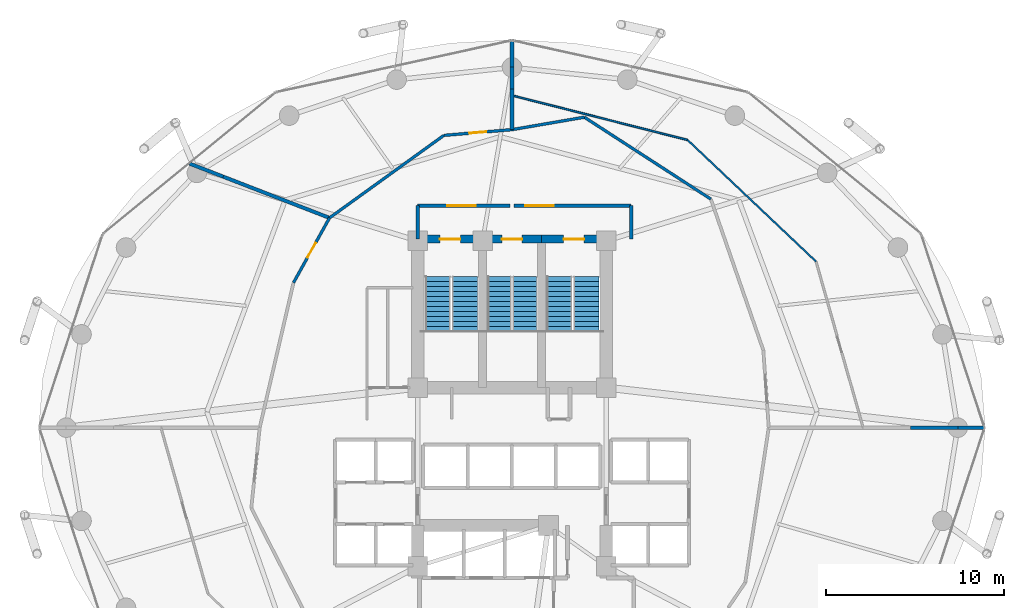
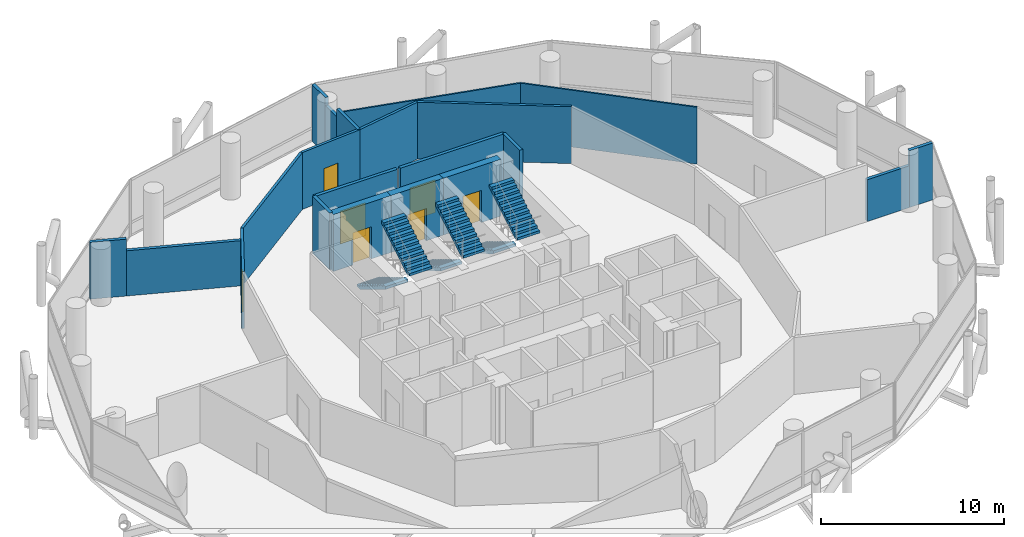
# One storey, part 23 of 24: 21 walls, 7 doors, 6 stair flights, 7 openings, 3 elements without a shape of their own.
"""IFC4 building model written with IfcOpenShell, lengths in metres."""

from ifc_helpers import new_model, si_unit, direction, frame, frame_2d, origin, place, context, subcontext, project, spatial, polyline, rectangle, outline, extrude, material, layer, layer_set, type_object, element, fill, aggregate, save


model = new_model("IFC4")

# Units and contexts
model_context = context("Model", 3, precision=1e-05, world=origin(), true_north=direction((0.0, 1.0)))
body_context = subcontext(model_context, "Body", "Model", "MODEL_VIEW")
ifc_project = project(units=[si_unit("LENGTHUNIT", "METRE"), si_unit("AREAUNIT", "SQUARE_METRE"), si_unit("VOLUMEUNIT", "CUBIC_METRE"), si_unit("PLANEANGLEUNIT", "RADIAN"), si_unit("MASSUNIT", "GRAM", prefix="KILO")], contexts=[model_context])

# Site, building, storey
site_placement = place(None, origin())
site = spatial("IfcSite", under=ifc_project, at=site_placement, CompositionType="ELEMENT")
building_placement = place(site_placement, origin())
building = spatial("IfcBuilding", under=site, at=building_placement, Name="Nuhasar Tower", CompositionType="ELEMENT")
storey_placement = place(building_placement, frame((0.0, 0.0, 77.699951171875)))
storey = spatial("IfcBuildingStorey", under=building, at=storey_placement, Name="L18", CompositionType="ELEMENT", Elevation=77.699951171875)

# Wall, opening, door
ifc_material_1 = material(Name="Concrete C50/60", Category="concrete")
ifc_layer_1 = layer(ifc_material_1, 0.449951171875)
ifc_layer_set_1 = layer_set([ifc_layer_1], Name="Concrete C50/60")
wall_type_1 = type_object("IfcWallType", Name="WL-CORE-450", PredefinedType="SHEAR", material=ifc_layer_set_1)
wall_1_placement = place(storey_placement, frame((37.35009765625, 37.39990234375, 0.0), z_axis=(0.0, 0.0, 1.0), x_axis=(-1.0, 0.0, 0.0)))
wall_1 = element("IfcWall", 1, at=wall_1_placement, inside=storey, type_object=wall_type_1, Name="L18 Stairwell Shear Wall ST01-N", PredefinedType="SHEAR", context=body_context, shape_type="SweptSolid", body=[
    extrude(rectangle(XDim=3.650146484375, YDim=0.449951171875, at=frame_2d((1.8251953125, 0.0))), origin(), (0.0, 0.0, 1.0), 3.800048828125),
])
opening_1_placement = place(wall_1_placement, frame((1.25, 0.0, 0.0)))
opening_1 = element("IfcOpeningElement", 2, at=opening_1_placement, cuts=wall_1, Name="Opening DS-01", PredefinedType="OPENING", context=body_context, shape_type="SweptSolid", body=[
    extrude(rectangle(XDim=1.14990234375, YDim=2.14990234375, at=frame_2d((0.574951171875, 1.074951171875))), frame((0.0, 0.23486328125, 0.0), z_axis=(0.0, -1.0, 0.0), x_axis=(1.0, 0.0, 0.0)), (0.0, 0.0, 1.0), 0.469970703125),
])
ifc_material_2 = material(Name="Steel S355", Category="steel")
door_type_1 = type_object("IfcDoorType", Name="DR-STAIR-FD120-1150", OperationType="NOTDEFINED", PredefinedType="DOOR", material=ifc_material_2)
door_1_placement = place(opening_1_placement, origin())
door_1 = element("IfcDoor", 3, at=door_1_placement, inside=storey, type_object=door_type_1, Name="L18 Exit Stair ST-01 Door", OperationType="SINGLE_SWING_RIGHT", OverallHeight=2.14990234375, OverallWidth=1.14990234375, PredefinedType="DOOR", context=body_context, shape_type="SweptSolid", body=[
    extrude(rectangle(XDim=1.14990234375, YDim=2.14990234375, at=frame_2d((0.574951171875, 1.074951171875))), frame((0.0, 0.02490234375, 0.0), z_axis=(0.0, -1.0, 0.0), x_axis=(1.0, 0.0, 0.0)), (0.0, 0.0, 1.0), 0.050048828125),
])
fill(opening_1, door_1)

wall_2_placement = place(storey_placement, frame((40.64990234375, 37.39990234375, 0.0), z_axis=(0.0, 0.0, 1.0), x_axis=(-1.0, 0.0, 0.0)))
wall_2 = element("IfcWall", 4, at=wall_2_placement, inside=storey, type_object=wall_type_1, Name="L18 Stairwell Shear Wall ST03-N", PredefinedType="SHEAR", context=body_context, shape_type="SweptSolid", body=[
    extrude(rectangle(XDim=3.2998046875, YDim=0.449951171875, at=frame_2d((1.64990234375, 0.0))), origin(), (0.0, 0.0, 1.0), 3.800048828125),
])
opening_2_placement = place(wall_2_placement, frame((1.074951171875, 0.0, 0.0)))
opening_2 = element("IfcOpeningElement", 5, at=opening_2_placement, cuts=wall_2, Name="Opening DS-01", PredefinedType="OPENING", context=body_context, shape_type="SweptSolid", body=[
    extrude(rectangle(XDim=1.14990234375, YDim=2.14990234375, at=frame_2d((0.574951171875, 1.074951171875))), frame((0.0, 0.23486328125, 0.0), z_axis=(0.0, -1.0, 0.0), x_axis=(1.0, 0.0, 0.0)), (0.0, 0.0, 1.0), 0.469970703125),
])
door_2_placement = place(opening_2_placement, origin())
door_2 = element("IfcDoor", 6, at=door_2_placement, inside=storey, type_object=door_type_1, Name="L18 Exit Stair ST-03 Door", OperationType="SINGLE_SWING_RIGHT", OverallHeight=2.14990234375, OverallWidth=1.14990234375, PredefinedType="DOOR", context=body_context, shape_type="SweptSolid", body=[
    extrude(rectangle(XDim=1.14990234375, YDim=2.14990234375, at=frame_2d((0.574951171875, 1.074951171875))), frame((0.0, 0.02490234375, 0.0), z_axis=(0.0, -1.0, 0.0), x_axis=(1.0, 0.0, 0.0)), (0.0, 0.0, 1.0), 0.050048828125),
])
fill(opening_2, door_2)

wall_3_placement = place(storey_placement, frame((44.300048828125, 37.39990234375, 0.0), z_axis=(0.0, 0.0, 1.0), x_axis=(-1.0, 0.0, 0.0)))
wall_3 = element("IfcWall", 7, at=wall_3_placement, inside=storey, type_object=wall_type_1, Name="L18 Stairwell Shear Wall ST02-N", PredefinedType="SHEAR", context=body_context, shape_type="SweptSolid", body=[
    extrude(rectangle(XDim=3.650146484375, YDim=0.449951171875, at=frame_2d((1.8251953125, 0.0))), origin(), (0.0, 0.0, 1.0), 3.800048828125),
])
opening_3_placement = place(wall_3_placement, frame((1.25, 0.0, 0.0)))
opening_3 = element("IfcOpeningElement", 8, at=opening_3_placement, cuts=wall_3, Name="Opening DS-01", PredefinedType="OPENING", context=body_context, shape_type="SweptSolid", body=[
    extrude(rectangle(XDim=1.14990234375, YDim=2.14990234375, at=frame_2d((0.574951171875, 1.074951171875))), frame((0.0, 0.23486328125, 0.0), z_axis=(0.0, -1.0, 0.0), x_axis=(1.0, 0.0, 0.0)), (0.0, 0.0, 1.0), 0.469970703125),
])
door_3_placement = place(opening_3_placement, origin())
door_3 = element("IfcDoor", 9, at=door_3_placement, inside=storey, type_object=door_type_1, Name="L18 Exit Stair ST-02 Door", OperationType="SINGLE_SWING_LEFT", OverallHeight=2.14990234375, OverallWidth=1.14990234375, PredefinedType="DOOR", context=body_context, shape_type="SweptSolid", body=[
    extrude(rectangle(XDim=1.14990234375, YDim=2.14990234375, at=frame_2d((0.574951171875, 1.074951171875))), frame((0.0, 0.02490234375, 0.0), z_axis=(0.0, -1.0, 0.0), x_axis=(1.0, 0.0, 0.0)), (0.0, 0.0, 1.0), 0.050048828125),
])
fill(opening_3, door_3)

# Walls
ifc_material_3 = material(Name="Gypsum Board", Category="gypsum")
ifc_layer_2 = layer(ifc_material_3, 0.159912109375)
ifc_layer_set_2 = layer_set([ifc_layer_2], Name="Gypsum Board")
wall_type_2 = type_object("IfcWallType", Name="WL-CORR-160", PredefinedType="PARTITIONING", material=ifc_layer_set_2)
wall_4_placement = place(storey_placement, frame((50.176025390625, 39.64599609375, 0.0), z_axis=(0.0, 0.0, 1.0), x_axis=(-0.839408478808, 0.543501063205, 0.0)))
element("IfcWall", 10, at=wall_4_placement, inside=storey, type_object=wall_type_2, Name="L18 Interior Partition CORR-06", PredefinedType="PARTITIONING", context=body_context, shape_type="SweptSolid", body=[
    extrude(rectangle(XDim=8.46923828125, YDim=0.159912109375, at=frame_2d((4.234619140625, 0.0))), origin(), (0.0, 0.0, 1.0), 3.800048828125),
])
wall_5_placement = place(storey_placement, frame((43.06689453125, 44.2490234375, 0.0), z_axis=(0.0, 0.0, 1.0), x_axis=(-0.985549816713, -0.169385828146, 0.0)))
element("IfcWall", 11, at=wall_5_placement, inside=storey, type_object=wall_type_2, Name="L18 Interior Partition CORR-10", PredefinedType="PARTITIONING", context=body_context, shape_type="SweptSolid", body=[
    extrude(rectangle(XDim=4.12646484375, YDim=0.159912109375, at=frame_2d((2.063232421875, 0.0))), origin(), (0.0, 0.0, 1.0), 3.800048828125),
])

# Wall, opening, door
wall_6_placement = place(storey_placement, frame((35.1708984375, 43.22705078125, 0.0), z_axis=(0.0, 0.0, 1.0), x_axis=(0.996461119645, 0.084054964377, 0.0)))
wall_6 = element("IfcWall", 12, at=wall_6_placement, inside=storey, type_object=wall_type_2, Name="L18 Interior Partition CORR-12", PredefinedType="PARTITIONING", context=body_context, shape_type="SweptSolid", body=[
    extrude(rectangle(XDim=3.8427734375, YDim=0.159912109375, at=frame_2d((1.92138671875, 0.0))), origin(), (0.0, 0.0, 1.0), 3.800048828125),
])
opening_4_placement = place(wall_6_placement, frame((1.446044921875, 0.0, 0.0)))
opening_4 = element("IfcOpeningElement", 13, at=opening_4_placement, cuts=wall_6, Name="Opening DO-01", PredefinedType="OPENING", context=body_context, shape_type="SweptSolid", body=[
    extrude(rectangle(XDim=0.949951171875, YDim=2.14990234375, at=frame_2d((0.47509765625, 1.074951171875))), frame((0.0, 0.08984375, 0.0), z_axis=(0.0, -1.0, 0.0), x_axis=(1.0, 0.0, 0.0)), (0.0, 0.0, 1.0), 0.179931640625),
])
ifc_material_4 = material(Name="Timber Oak", Category="wood")
door_type_2 = type_object("IfcDoorType", Name="DR-OFFICE-FD30-950", OperationType="NOTDEFINED", PredefinedType="DOOR", material=ifc_material_4)
door_4_placement = place(opening_4_placement, origin())
door_4 = element("IfcDoor", 14, at=door_4_placement, inside=storey, type_object=door_type_2, Name="L18 Product Showcase Boutique Entry Door", OperationType="SINGLE_SWING_LEFT", OverallHeight=2.14990234375, OverallWidth=0.949951171875, PredefinedType="DOOR", context=body_context, shape_type="SweptSolid", body=[
    extrude(rectangle(XDim=0.949951171875, YDim=2.14990234375, at=frame_2d((0.47509765625, 1.074951171875))), frame((0.0, 0.02490234375, 0.0), z_axis=(0.0, -1.0, 0.0), x_axis=(1.0, 0.0, 0.0)), (0.0, 0.0, 1.0), 0.050048828125),
])
fill(opening_4, door_4)

# Wall
wall_7_placement = place(storey_placement, frame((35.1708984375, 43.22705078125, 0.0), z_axis=(0.0, 0.0, 1.0), x_axis=(-0.811006435929, -0.585037230339, 0.0)))
element("IfcWall", 15, at=wall_7_placement, inside=storey, type_object=wall_type_2, Name="L18 Interior Partition CORR-14", PredefinedType="PARTITIONING", context=body_context, shape_type="SweptSolid", body=[
    extrude(rectangle(XDim=7.926025390625, YDim=0.159912109375, at=frame_2d((3.962890625, 0.0))), origin(), (0.0, 0.0, 1.0), 3.800048828125),
])

# Wall, opening, door
wall_8_placement = place(storey_placement, frame((26.719970703125, 34.949951171875, 0.0), z_axis=(0.0, 0.0, 1.0), x_axis=(0.485762387835, 0.87409090063, 0.0)))
wall_8 = element("IfcWall", 16, at=wall_8_placement, inside=storey, type_object=wall_type_2, Name="L18 Interior Partition CORR-18", PredefinedType="PARTITIONING", context=body_context, shape_type="SweptSolid", body=[
    extrude(rectangle(XDim=4.16455078125, YDim=0.159912109375, at=frame_2d((2.082275390625, 0.0))), origin(), (0.0, 0.0, 1.0), 3.800048828125),
])
opening_5_placement = place(wall_8_placement, frame((1.60693359375, 0.0, 0.0)))
opening_5 = element("IfcOpeningElement", 17, at=opening_5_placement, cuts=wall_8, Name="Opening DO-01", PredefinedType="OPENING", context=body_context, shape_type="SweptSolid", body=[
    extrude(rectangle(XDim=0.949951171875, YDim=2.14990234375, at=frame_2d((0.47509765625, 1.074951171875))), frame((0.0, 0.08984375, 0.0), z_axis=(0.0, -1.0, 0.0), x_axis=(1.0, 0.0, 0.0)), (0.0, 0.0, 1.0), 0.179931640625),
])
door_5_placement = place(opening_5_placement, origin())
door_5 = element("IfcDoor", 18, at=door_5_placement, inside=storey, type_object=door_type_2, Name="L18 Barista Espresso Pantry Entry Door", OperationType="SINGLE_SWING_LEFT", OverallHeight=2.14990234375, OverallWidth=0.949951171875, PredefinedType="DOOR", context=body_context, shape_type="SweptSolid", body=[
    extrude(rectangle(XDim=0.949951171875, YDim=2.14990234375, at=frame_2d((0.47509765625, 1.074951171875))), frame((0.0, 0.02490234375, 0.0), z_axis=(0.0, -1.0, 0.0), x_axis=(1.0, 0.0, 0.0)), (0.0, 0.0, 1.0), 0.050048828125),
])
fill(opening_5, door_5)

# Walls
ifc_material_5 = material(Name="Concrete C45/55", Category="concrete")
ifc_layer_3 = layer(ifc_material_5, 0.199951171875)
ifc_layer_set_3 = layer_set([ifc_layer_3], Name="Concrete C45/55")
wall_type_3 = type_object("IfcWallType", Name="WL-LOBBY-200", PredefinedType="SOLIDWALL", material=ifc_layer_set_3)
for number, where, z_axis, x_axis, name in (
    (19, (33.699951171875, 37.39990234375, 0.0), (0.0, 0.0, 1.0), (0.0, 1.0, 0.0), "L18 Interior Partition NSL-W"),
    (20, (45.699951171875, 37.39990234375, 0.0), (0.0, 0.0, 1.0), (0.0, 1.0, 0.0), "L18 Interior Partition NSL-E"),
):
    element("IfcWall", number, at=place(storey_placement, frame(where, z_axis=z_axis, x_axis=x_axis)), inside=storey, type_object=wall_type_3, Name=name, PredefinedType="SOLIDWALL", context=body_context, shape_type="SweptSolid", body=[
        extrude(rectangle(XDim=1.880126953125, YDim=0.199951171875, at=frame_2d((0.93994140625, 0.0))), origin(), (0.0, 0.0, 1.0), 3.800048828125),
    ])

# Wall, opening, door
wall_9_placement = place(storey_placement, frame((38.89990234375, 39.280029296875, 0.0), z_axis=(0.0, 0.0, 1.0), x_axis=(-1.0, 0.0, 0.0)))
wall_9 = element("IfcWall", 21, at=wall_9_placement, inside=storey, type_object=wall_type_3, Name="L18 Interior Partition NSL-N1", PredefinedType="SOLIDWALL", context=body_context, shape_type="SweptSolid", body=[
    extrude(rectangle(XDim=5.199951171875, YDim=0.199951171875, at=frame_2d((2.60009765625, 0.0))), origin(), (0.0, 0.0, 1.0), 3.800048828125),
])
opening_6_placement = place(wall_9_placement, frame((1.949951171875, 0.0, 0.0)))
opening_6 = element("IfcOpeningElement", 22, at=opening_6_placement, cuts=wall_9, Name="Opening DC-01", PredefinedType="OPENING", context=body_context, shape_type="SweptSolid", body=[
    extrude(rectangle(XDim=1.60009765625, YDim=2.199951171875, at=frame_2d((0.800048828125, 1.10009765625))), frame((0.0, 0.10986328125, 0.0), z_axis=(0.0, -1.0, 0.0), x_axis=(1.0, 0.0, 0.0)), (0.0, 0.0, 1.0), 0.219970703125),
])
door_type_3 = type_object("IfcDoorType", Name="DR-CORR-FD60-1600", OperationType="DOUBLE_DOOR_SINGLE_SWING", PredefinedType="DOOR", material=ifc_material_2)
door_6_placement = place(opening_6_placement, origin())
door_6 = element("IfcDoor", 23, at=door_6_placement, inside=storey, type_object=door_type_3, Name="L18 North Stair Lobby West Door", OperationType="DOUBLE_DOOR_SINGLE_SWING", OverallHeight=2.199951171875, OverallWidth=1.60009765625, PredefinedType="DOOR", context=body_context, shape_type="SweptSolid", body=[
    extrude(rectangle(XDim=1.60009765625, YDim=2.199951171875, at=frame_2d((0.800048828125, 1.10009765625))), frame((0.0, 0.02490234375, 0.0), z_axis=(0.0, -1.0, 0.0), x_axis=(1.0, 0.0, 0.0)), (0.0, 0.0, 1.0), 0.050048828125),
])
fill(opening_6, door_6)

wall_10_placement = place(storey_placement, frame((45.699951171875, 39.280029296875, 0.0), z_axis=(0.0, 0.0, 1.0), x_axis=(-1.0, 0.0, 0.0)))
wall_10 = element("IfcWall", 24, at=wall_10_placement, inside=storey, type_object=wall_type_3, Name="L18 Interior Partition NSL-N2", PredefinedType="SOLIDWALL", context=body_context, shape_type="SweptSolid", body=[
    extrude(rectangle(XDim=6.599853515625, YDim=0.199951171875, at=frame_2d((3.2998046875, 0.0))), origin(), (0.0, 0.0, 1.0), 3.800048828125),
])
opening_7_placement = place(wall_10_placement, frame((4.35009765625, 0.0, 0.0)))
opening_7 = element("IfcOpeningElement", 25, at=opening_7_placement, cuts=wall_10, Name="Opening DC-01", PredefinedType="OPENING", context=body_context, shape_type="SweptSolid", body=[
    extrude(rectangle(XDim=1.60009765625, YDim=2.199951171875, at=frame_2d((0.800048828125, 1.10009765625))), frame((0.0, 0.10986328125, 0.0), z_axis=(0.0, -1.0, 0.0), x_axis=(1.0, 0.0, 0.0)), (0.0, 0.0, 1.0), 0.219970703125),
])
door_7_placement = place(opening_7_placement, origin())
door_7 = element("IfcDoor", 26, at=door_7_placement, inside=storey, type_object=door_type_3, Name="L18 North Stair Lobby East Door", OperationType="DOUBLE_DOOR_SINGLE_SWING", OverallHeight=2.199951171875, OverallWidth=1.60009765625, PredefinedType="DOOR", context=body_context, shape_type="SweptSolid", body=[
    extrude(rectangle(XDim=1.60009765625, YDim=2.199951171875, at=frame_2d((0.800048828125, 1.10009765625))), frame((0.0, 0.02490234375, 0.0), z_axis=(0.0, -1.0, 0.0), x_axis=(1.0, 0.0, 0.0)), (0.0, 0.0, 1.0), 0.050048828125),
])
fill(opening_7, door_7)

# Walls
ifc_material_6 = material(Name="Aluminium 6063-T6", Category="aluminium")
ifc_layer_4 = layer(ifc_material_6, 0.10009765625)
ifc_layer_set_4 = layer_set([ifc_layer_4], Name="Aluminium 6063-T6")
wall_type_4 = type_object("IfcWallType", Name="WL-MOVABLE-100", PredefinedType="MOVABLE", material=ifc_layer_set_4)
wall_11_placement = place(storey_placement, frame((56.090087890625, 36.135986328125, 0.0), z_axis=(0.0, 0.0, 1.0), x_axis=(-0.72640414621, 0.687267790871, 0.0)))
element("IfcWall", 27, at=wall_11_placement, inside=storey, type_object=wall_type_4, Name="L18 Interior Partition OMID-01-04", PredefinedType="MOVABLE", context=body_context, shape_type="SweptSolid", body=[
    extrude(rectangle(XDim=9.943603515625, YDim=0.10009765625, at=frame_2d((4.9716796875, 0.0))), origin(), (0.0, 0.0, 1.0), 3.800048828125),
])
wall_12_placement = place(storey_placement, frame((48.866943359375, 42.969970703125, 0.0), z_axis=(0.0, 0.0, 1.0), x_axis=(-0.969345835611, 0.245700327601, 0.0)))
element("IfcWall", 28, at=wall_12_placement, inside=storey, type_object=wall_type_4, Name="L18 Interior Partition OMID-01-08", PredefinedType="MOVABLE", context=body_context, shape_type="SweptSolid", body=[
    extrude(rectangle(XDim=10.178955078125, YDim=0.10009765625, at=frame_2d((5.08935546875, 0.0))), origin(), (0.0, 0.0, 1.0), 3.800048828125),
])
ifc_material_7 = material(Name="Concrete C40/50 precast", Category="concrete")
ifc_layer_5 = layer(ifc_material_7, 0.199951171875)
ifc_layer_set_5 = layer_set([ifc_layer_5], Name="Concrete C40/50 precast")
wall_type_5 = type_object("IfcWallType", Name="WL-UNIT-200", PredefinedType="PARTITIONING", material=ifc_layer_set_5)
wall_13_placement = place(storey_placement, frame((61.40087890625, 26.800048828125, 0.0), z_axis=(0.0, 0.0, 1.0), x_axis=(1.0, 0.0, 0.0)))
element("IfcWall", 29, at=wall_13_placement, inside=storey, type_object=wall_type_5, Name="L18 Interior Partition ORAD-00-S2", PredefinedType="PARTITIONING", context=body_context, shape_type="SweptSolid", body=[
    extrude(rectangle(XDim=2.66015625, YDim=0.199951171875, at=frame_2d((1.330078125, 0.0))), origin(), (0.0, 0.0, 1.0), 2.7900390625),
])
wall_14_placement = place(storey_placement, frame((64.06103515625, 26.800048828125, 0.0), z_axis=(0.0, 0.0, 1.0), x_axis=(1.0, 0.0, 0.0)))
element("IfcWall", 30, at=wall_14_placement, inside=storey, type_object=wall_type_5, Name="L18 Interior Partition ORAD-00-S2", PredefinedType="PARTITIONING", context=body_context, shape_type="SweptSolid", body=[
    extrude(rectangle(XDim=1.4638671875, YDim=0.199951171875, at=frame_2d((0.73193359375, 0.0))), origin(), (0.0, 0.0, 1.0), 3.800048828125),
])
wall_15_placement = place(storey_placement, frame((39.0, 43.550048828125, 0.0), z_axis=(0.0, 0.0, 1.0), x_axis=(0.0, 1.0, 0.0)))
element("IfcWall", 31, at=wall_15_placement, inside=storey, type_object=wall_type_5, Name="L18 Interior Partition ORAD-12", PredefinedType="PARTITIONING", context=body_context, shape_type="SweptSolid", body=[
    extrude(rectangle(XDim=2.282958984375, YDim=0.199951171875, at=frame_2d((1.1416015625, 0.0))), origin(), (0.0, 0.0, 1.0), 3.800048828125),
])
wall_16_placement = place(storey_placement, frame((39.0, 45.8330078125, 0.0), z_axis=(0.0, 0.0, 1.0), x_axis=(0.0, 1.0, 0.0)))
element("IfcWall", 32, at=wall_16_placement, inside=storey, type_object=wall_type_5, Name="L18 Interior Partition ORAD-12", PredefinedType="PARTITIONING", context=body_context, shape_type="SweptSolid", body=[
    extrude(rectangle(XDim=1.23388671875, YDim=0.199951171875, at=frame_2d((0.616943359375, 0.0))), origin(), (0.0, 0.0, 1.0), 3.26513671875),
])
wall_17_placement = place(storey_placement, frame((39.0, 47.06689453125, 0.0), z_axis=(0.0, 0.0, 1.0), x_axis=(0.0, 1.0, 0.0)))
element("IfcWall", 33, at=wall_17_placement, inside=storey, type_object=wall_type_5, Name="L18 Interior Partition ORAD-12", PredefinedType="PARTITIONING", context=body_context, shape_type="SweptSolid", body=[
    extrude(rectangle(XDim=1.4580078125, YDim=0.199951171875, at=frame_2d((0.72900390625, 0.0))), origin(), (0.0, 0.0, 1.0), 3.800048828125),
])
wall_18_placement = place(storey_placement, frame((28.742919921875, 38.590087890625, 0.0), z_axis=(0.0, 0.0, 1.0), x_axis=(-0.932366814267, 0.361513656249, 0.0)))
element("IfcWall", 34, at=wall_18_placement, inside=storey, type_object=wall_type_5, Name="L18 Interior Partition ORAD-18", PredefinedType="PARTITIONING", context=body_context, shape_type="SweptSolid", body=[
    extrude(rectangle(XDim=6.40625, YDim=0.199951171875, at=frame_2d((3.203125, 0.0))), origin(), (0.0, 0.0, 1.0), 3.02001953125),
])
wall_19_placement = place(storey_placement, frame((22.77001953125, 40.906005859375, 0.0), z_axis=(0.0, 0.0, 1.0), x_axis=(-0.932318982985, 0.361636991977, 0.0)))
element("IfcWall", 35, at=wall_19_placement, inside=storey, type_object=wall_type_5, Name="L18 Interior Partition ORAD-18", PredefinedType="PARTITIONING", context=body_context, shape_type="SweptSolid", body=[
    extrude(rectangle(XDim=2.02392578125, YDim=0.199951171875, at=frame_2d((1.011962890625, 0.0))), origin(), (0.0, 0.0, 1.0), 3.800048828125),
])

# Stair, stair flights
stair_type_1 = type_object("IfcStairType", Name="STR-ST-01-2F-24R-1688", PredefinedType="HALF_TURN_STAIR", material=ifc_material_5)
stair_1_placement = place(storey_placement, origin())
stair_1 = element("IfcStair", 36, at=stair_1_placement, inside=storey, type_object=stair_type_1, Name="L18 Exit Stair ST-01", PredefinedType="HALF_TURN_STAIR")
stair_flight_type_1 = type_object("IfcStairFlightType", Name="SFL-ST-01-12R-1688", PredefinedType="STRAIGHT", material=ifc_material_5)
stair_flight_1_placement = place(storey_placement, frame((34.830078125, 35.284912109375, 0.0), z_axis=(0.0, 0.0, 1.0), x_axis=(0.0, -1.0, 0.0)))
stair_flight_1 = element("IfcStairFlight", 37, at=stair_flight_1_placement, type_object=stair_flight_type_1, Name="ST-01 flight 1", NumberOfRisers=12, NumberOfTreads=11, PredefinedType="STRAIGHT", RiserHeight=0.16875, TreadLength=0.28, context=body_context, shape_type="SweptSolid", body=[
    extrude(outline(polyline([(0.0, 0.0), (0.0, 0.168701171875), (0.280029296875, 0.168701171875), (0.280029296875, 0.33740234375), (0.56005859375, 0.33740234375), (0.56005859375, 0.50634765625), (0.840087890625, 0.50634765625), (0.840087890625, 0.675048828125), (1.1201171875, 0.675048828125), (1.1201171875, 0.84375), (1.39990234375, 0.84375), (1.39990234375, 1.012451171875), (1.679931640625, 1.012451171875), (1.679931640625, 1.18115234375), (1.9599609375, 1.18115234375), (1.9599609375, 1.35009765625), (2.239990234375, 1.35009765625), (2.239990234375, 1.518798828125), (2.52001953125, 1.518798828125), (2.52001953125, 1.6875), (2.800048828125, 1.6875), (2.800048828125, 1.856201171875), (3.080078125, 1.856201171875), (3.080078125, 2.02490234375), (3.080078125, 1.66943359375), (0.309814453125, 0.0), (0.0, 0.0)])), frame((0.0, 0.7099609375, 0.0), z_axis=(0.0, -1.0, 0.0), x_axis=(1.0, 0.0, 0.0)), (0.0, 0.0, 1.0), 1.419921875),
])
stair_flight_2_placement = place(storey_placement, frame((36.35009765625, 32.205078125, 2.025146484375), z_axis=(0.0, 0.0, 1.0), x_axis=(0.0, 1.0, 0.0)))
stair_flight_2 = element("IfcStairFlight", 38, at=stair_flight_2_placement, type_object=stair_flight_type_1, Name="ST-01 flight 2", NumberOfRisers=12, NumberOfTreads=11, PredefinedType="STRAIGHT", RiserHeight=0.16875, TreadLength=0.28, context=body_context, shape_type="SweptSolid", body=[
    extrude(outline(polyline([(0.0, 0.0), (0.0, 0.168701171875), (0.280029296875, 0.168701171875), (0.280029296875, 0.33740234375), (0.56005859375, 0.33740234375), (0.56005859375, 0.50634765625), (0.840087890625, 0.50634765625), (0.840087890625, 0.675048828125), (1.1201171875, 0.675048828125), (1.1201171875, 0.84375), (1.39990234375, 0.84375), (1.39990234375, 1.012451171875), (1.679931640625, 1.012451171875), (1.679931640625, 1.18115234375), (1.9599609375, 1.18115234375), (1.9599609375, 1.35009765625), (2.239990234375, 1.35009765625), (2.239990234375, 1.518798828125), (2.52001953125, 1.518798828125), (2.52001953125, 1.6875), (2.800048828125, 1.6875), (2.800048828125, 1.856201171875), (3.080078125, 1.856201171875), (3.080078125, 2.02490234375), (3.080078125, 1.66943359375), (0.309814453125, 0.0), (0.0, 0.0)])), frame((0.0, 0.7099609375, 0.0), z_axis=(0.0, -1.0, 0.0), x_axis=(1.0, 0.0, 0.0)), (0.0, 0.0, 1.0), 1.419921875),
])
aggregate(stair_1, [stair_flight_1, stair_flight_2])

stair_type_2 = type_object("IfcStairType", Name="STR-ST-02-2F-24R-1688", PredefinedType="HALF_TURN_STAIR", material=ifc_material_5)
stair_2_placement = place(storey_placement, origin())
stair_2 = element("IfcStair", 39, at=stair_2_placement, inside=storey, type_object=stair_type_2, Name="L18 Exit Stair ST-02", PredefinedType="HALF_TURN_STAIR")
stair_flight_type_2 = type_object("IfcStairFlightType", Name="SFL-ST-02-12R-1688", PredefinedType="STRAIGHT", material=ifc_material_5)
stair_flight_3_placement = place(storey_placement, frame((41.64990234375, 35.284912109375, 0.0), z_axis=(0.0, 0.0, 1.0), x_axis=(0.0, -1.0, 0.0)))
stair_flight_3 = element("IfcStairFlight", 40, at=stair_flight_3_placement, type_object=stair_flight_type_2, Name="ST-02 flight 1", NumberOfRisers=12, NumberOfTreads=11, PredefinedType="STRAIGHT", RiserHeight=0.16875, TreadLength=0.28, context=body_context, shape_type="SweptSolid", body=[
    extrude(outline(polyline([(0.0, 0.0), (0.0, 0.168701171875), (0.280029296875, 0.168701171875), (0.280029296875, 0.33740234375), (0.56005859375, 0.33740234375), (0.56005859375, 0.50634765625), (0.840087890625, 0.50634765625), (0.840087890625, 0.675048828125), (1.1201171875, 0.675048828125), (1.1201171875, 0.84375), (1.39990234375, 0.84375), (1.39990234375, 1.012451171875), (1.679931640625, 1.012451171875), (1.679931640625, 1.18115234375), (1.9599609375, 1.18115234375), (1.9599609375, 1.35009765625), (2.239990234375, 1.35009765625), (2.239990234375, 1.518798828125), (2.52001953125, 1.518798828125), (2.52001953125, 1.6875), (2.800048828125, 1.6875), (2.800048828125, 1.856201171875), (3.080078125, 1.856201171875), (3.080078125, 2.02490234375), (3.080078125, 1.66943359375), (0.309814453125, 0.0), (0.0, 0.0)])), frame((0.0, 0.7099609375, 0.0), z_axis=(0.0, -1.0, 0.0), x_axis=(1.0, 0.0, 0.0)), (0.0, 0.0, 1.0), 1.419921875),
])
stair_flight_4_placement = place(storey_placement, frame((43.169921875, 32.205078125, 2.025146484375), z_axis=(0.0, 0.0, 1.0), x_axis=(0.0, 1.0, 0.0)))
stair_flight_4 = element("IfcStairFlight", 41, at=stair_flight_4_placement, type_object=stair_flight_type_2, Name="ST-02 flight 2", NumberOfRisers=12, NumberOfTreads=11, PredefinedType="STRAIGHT", RiserHeight=0.16875, TreadLength=0.28, context=body_context, shape_type="SweptSolid", body=[
    extrude(outline(polyline([(0.0, 0.0), (0.0, 0.168701171875), (0.280029296875, 0.168701171875), (0.280029296875, 0.33740234375), (0.56005859375, 0.33740234375), (0.56005859375, 0.50634765625), (0.840087890625, 0.50634765625), (0.840087890625, 0.675048828125), (1.1201171875, 0.675048828125), (1.1201171875, 0.84375), (1.39990234375, 0.84375), (1.39990234375, 1.012451171875), (1.679931640625, 1.012451171875), (1.679931640625, 1.18115234375), (1.9599609375, 1.18115234375), (1.9599609375, 1.35009765625), (2.239990234375, 1.35009765625), (2.239990234375, 1.518798828125), (2.52001953125, 1.518798828125), (2.52001953125, 1.6875), (2.800048828125, 1.6875), (2.800048828125, 1.856201171875), (3.080078125, 1.856201171875), (3.080078125, 2.02490234375), (3.080078125, 1.66943359375), (0.309814453125, 0.0), (0.0, 0.0)])), frame((0.0, 0.7099609375, 0.0), z_axis=(0.0, -1.0, 0.0), x_axis=(1.0, 0.0, 0.0)), (0.0, 0.0, 1.0), 1.419921875),
])
aggregate(stair_2, [stair_flight_3, stair_flight_4])

stair_type_3 = type_object("IfcStairType", Name="STR-ST-03-2F-24R-1688", PredefinedType="HALF_TURN_STAIR", material=ifc_material_5)
stair_3_placement = place(storey_placement, origin())
stair_3 = element("IfcStair", 42, at=stair_3_placement, inside=storey, type_object=stair_type_3, Name="L18 Exit Stair ST-03", PredefinedType="HALF_TURN_STAIR")
stair_flight_type_3 = type_object("IfcStairFlightType", Name="SFL-ST-03-12R-1688", PredefinedType="STRAIGHT", material=ifc_material_5)
stair_flight_5_placement = place(storey_placement, frame((38.280029296875, 35.284912109375, 0.0), z_axis=(0.0, 0.0, 1.0), x_axis=(0.0, -1.0, 0.0)))
stair_flight_5 = element("IfcStairFlight", 43, at=stair_flight_5_placement, type_object=stair_flight_type_3, Name="ST-03 flight 1", NumberOfRisers=12, NumberOfTreads=11, PredefinedType="STRAIGHT", RiserHeight=0.16875, TreadLength=0.28, context=body_context, shape_type="SweptSolid", body=[
    extrude(outline(polyline([(0.0, 0.0), (0.0, 0.168701171875), (0.280029296875, 0.168701171875), (0.280029296875, 0.33740234375), (0.56005859375, 0.33740234375), (0.56005859375, 0.50634765625), (0.840087890625, 0.50634765625), (0.840087890625, 0.675048828125), (1.1201171875, 0.675048828125), (1.1201171875, 0.84375), (1.39990234375, 0.84375), (1.39990234375, 1.012451171875), (1.679931640625, 1.012451171875), (1.679931640625, 1.18115234375), (1.9599609375, 1.18115234375), (1.9599609375, 1.35009765625), (2.239990234375, 1.35009765625), (2.239990234375, 1.518798828125), (2.52001953125, 1.518798828125), (2.52001953125, 1.6875), (2.800048828125, 1.6875), (2.800048828125, 1.856201171875), (3.080078125, 1.856201171875), (3.080078125, 2.02490234375), (3.080078125, 1.66943359375), (0.309814453125, 0.0), (0.0, 0.0)])), frame((0.0, 0.669921875, 0.0), z_axis=(0.0, -1.0, 0.0), x_axis=(1.0, 0.0, 0.0)), (0.0, 0.0, 1.0), 1.340087890625),
])
stair_flight_6_placement = place(storey_placement, frame((39.719970703125, 32.205078125, 2.025146484375), z_axis=(0.0, 0.0, 1.0), x_axis=(0.0, 1.0, 0.0)))
stair_flight_6 = element("IfcStairFlight", 44, at=stair_flight_6_placement, type_object=stair_flight_type_3, Name="ST-03 flight 2", NumberOfRisers=12, NumberOfTreads=11, PredefinedType="STRAIGHT", RiserHeight=0.16875, TreadLength=0.28, context=body_context, shape_type="SweptSolid", body=[
    extrude(outline(polyline([(0.0, 0.0), (0.0, 0.168701171875), (0.280029296875, 0.168701171875), (0.280029296875, 0.33740234375), (0.56005859375, 0.33740234375), (0.56005859375, 0.50634765625), (0.840087890625, 0.50634765625), (0.840087890625, 0.675048828125), (1.1201171875, 0.675048828125), (1.1201171875, 0.84375), (1.39990234375, 0.84375), (1.39990234375, 1.012451171875), (1.679931640625, 1.012451171875), (1.679931640625, 1.18115234375), (1.9599609375, 1.18115234375), (1.9599609375, 1.35009765625), (2.239990234375, 1.35009765625), (2.239990234375, 1.518798828125), (2.52001953125, 1.518798828125), (2.52001953125, 1.6875), (2.800048828125, 1.6875), (2.800048828125, 1.856201171875), (3.080078125, 1.856201171875), (3.080078125, 2.02490234375), (3.080078125, 1.66943359375), (0.309814453125, 0.0), (0.0, 0.0)])), frame((0.0, 0.669921875, 0.0), z_axis=(0.0, -1.0, 0.0), x_axis=(1.0, 0.0, 0.0)), (0.0, 0.0, 1.0), 1.340087890625),
])
aggregate(stair_3, [stair_flight_5, stair_flight_6])

save(model, "model.ifc")
